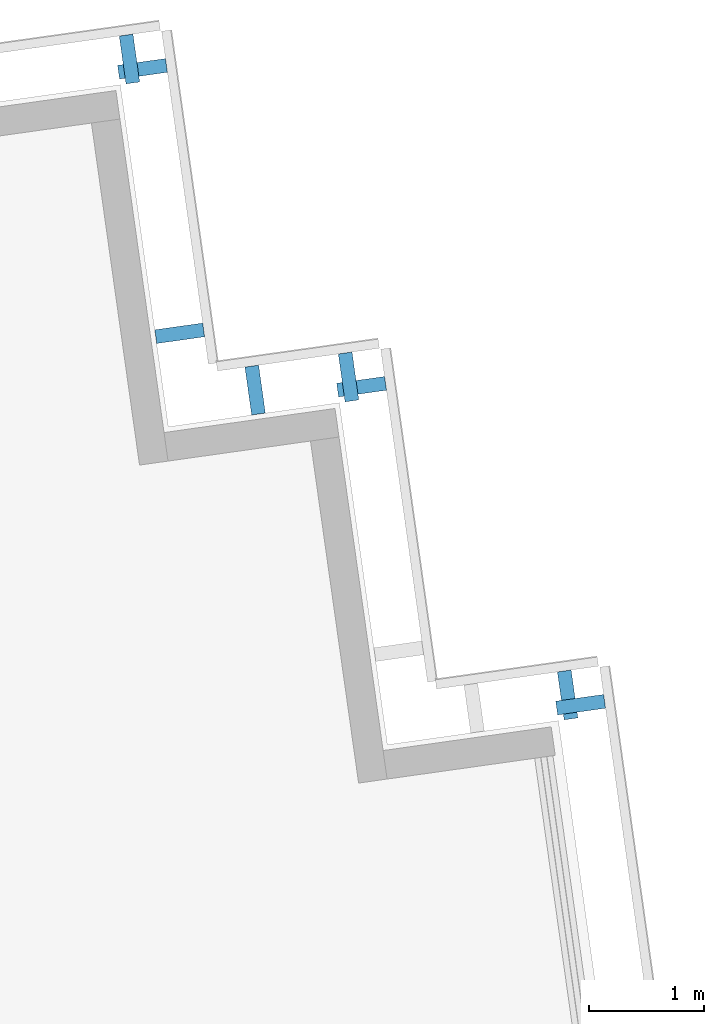
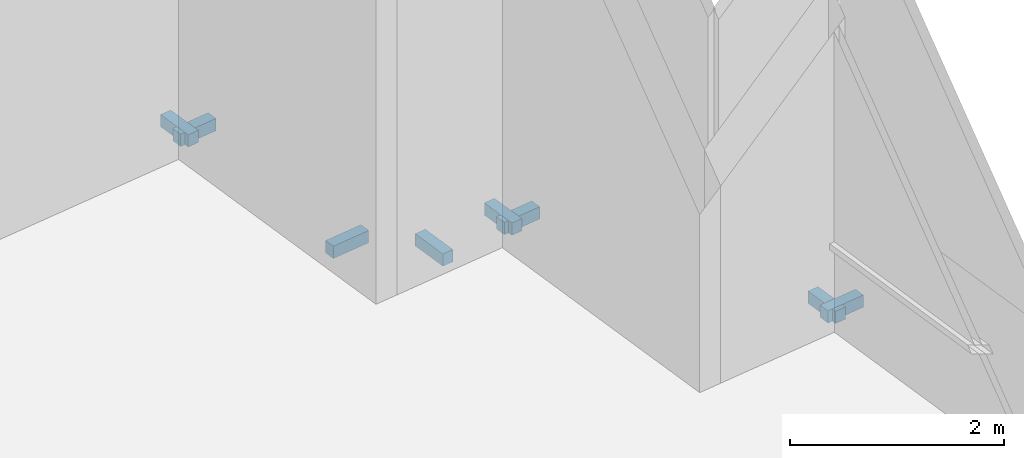
# One storey, part 13 of 18: 8 discrete accessories.
"""IFC4 building model written with IfcOpenShell, lengths in metres."""

from ifc_helpers import new_model, si_unit, direction, frame, origin, origin_2d, place, context, subcontext, project, spatial, rectangle, extrude, element, save


model = new_model("IFC4")

# Units and contexts
model_context = context("Model", 3, precision=1e-05, world=origin(), true_north=direction((0.0, 1.0)))
body_context = subcontext(model_context, "Body", "Model", "MODEL_VIEW")
ifc_project = project(units=[si_unit("LENGTHUNIT", "METRE"), si_unit("AREAUNIT", "SQUARE_METRE"), si_unit("VOLUMEUNIT", "CUBIC_METRE"), si_unit("PLANEANGLEUNIT", "RADIAN"), si_unit("MASSUNIT", "GRAM", prefix="KILO")], contexts=[model_context])

# Site, building, storey
site_placement = place(None, origin())
site = spatial("IfcSite", under=ifc_project, at=site_placement, CompositionType="ELEMENT")
building_placement = place(site_placement, origin())
building = spatial("IfcBuilding", under=site, at=building_placement, Name="Rattan Terrace Tower", CompositionType="ELEMENT")
storey_placement = place(building_placement, frame((0.0, 0.0, 233.0)))
storey = spatial("IfcBuildingStorey", under=building, at=storey_placement, Name="L53", CompositionType="ELEMENT", Elevation=233.0)

# Discrete accessories
for number, where, z_axis, x_axis, name in (
    (1, (28.560546875, 10.625244140625, -0.169921875), (0.0, 0.0, 1.0), (-0.139186165309, 0.990266232579, 0.0), "Panel bracket L53-14"),
    (2, (28.44775390625, 10.710205078125, -0.169921875), (0.0, 0.0, 1.0), (-0.990240767803, -0.139367219175, 0.0), "Panel bracket L53-15"),
    (3, (26.65771484375, 13.38720703125, -0.169921875), (0.0, 0.0, 1.0), (-0.139321220646, 0.990247240581, 0.0), "Panel bracket L53-18"),
    (4, (26.544677734375, 13.47216796875, -0.169921875), (0.0, 0.0, 1.0), (-0.990240767803, -0.139367219175, 0.0), "Panel bracket L53-19"),
    (5, (25.733154296875, 13.358154296875, -0.169921875), (0.0, 0.0, 1.0), (-0.990240767803, -0.139367219175, 0.0), "Panel bracket L53-20"),
    (6, (25.077880859375, 13.8515625, -0.169921875), (0.0, 0.0, 1.0), (-0.139321220646, 0.990247240581, 0.0), "Panel bracket L53-21"),
    (7, (24.754638671875, 16.14892578125, -0.169921875), (0.0, 0.0, 1.0), (-0.139321220646, 0.990247240581, 0.0), "Panel bracket L53-22"),
    (8, (24.6416015625, 16.234130859375, -0.169921875), (0.0, 0.0, 1.0), (-0.990293172258, -0.138994363123, 0.0), "Panel bracket L53-23"),
):
    element("IfcDiscreteAccessory", number, at=place(storey_placement, frame(where, z_axis=z_axis, x_axis=x_axis)), inside=storey, Name=name, PredefinedType="BRACKET", context=body_context, shape_type="SweptSolid", body=[
        extrude(rectangle(XDim=0.1201171875, YDim=0.419921875, at=origin_2d()), origin(), (0.0, 0.0, 1.0), 0.139892578125),
    ])

save(model, "model.ifc")
